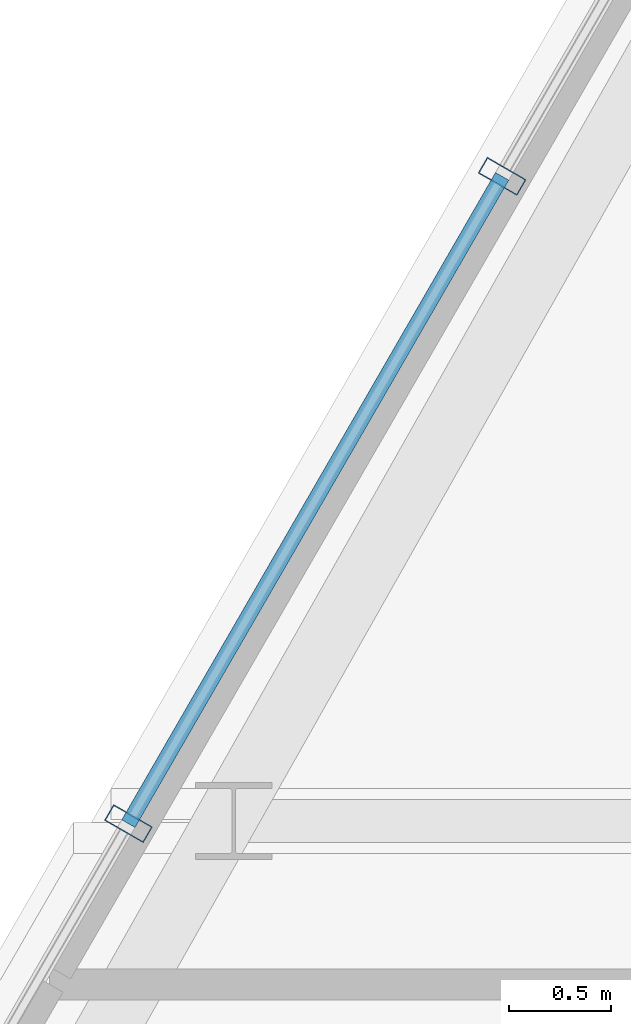
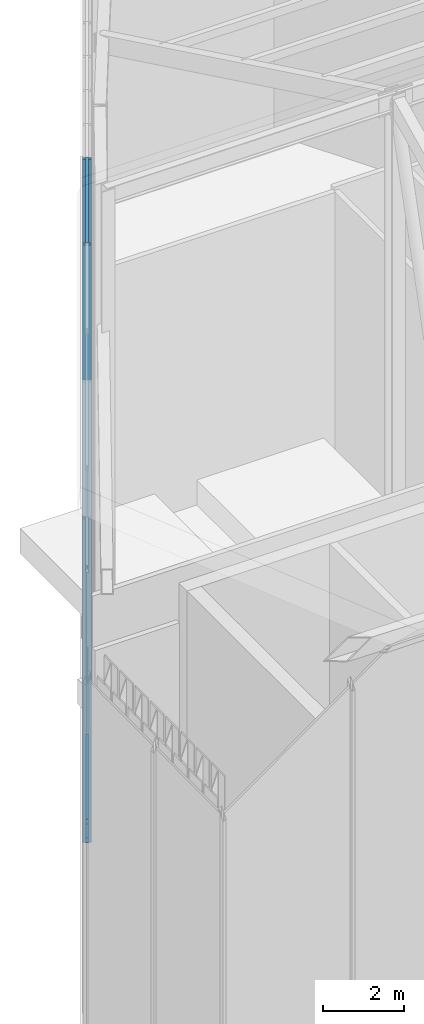
# One storey, part 9 of 36: 5 members, 2 elements without a shape of their own.
"""IFC4 building model written with IfcOpenShell, lengths in metres."""

from ifc_helpers import new_model, si_unit, direction, frame, origin, origin_2d, place, context, subcontext, project, spatial, hollow_rectangle, extrude, material, layer, layer_set, material_profile, profile_set, type_object, element, aggregate, save


model = new_model("IFC4")

# Units and contexts
model_context = context("Model", 3, precision=1e-05, world=origin(), true_north=direction((0.0, 1.0)))
body_context = subcontext(model_context, "Body", "Model", "MODEL_VIEW")
ifc_project = project(units=[si_unit("LENGTHUNIT", "METRE"), si_unit("AREAUNIT", "SQUARE_METRE"), si_unit("VOLUMEUNIT", "CUBIC_METRE"), si_unit("PLANEANGLEUNIT", "RADIAN"), si_unit("MASSUNIT", "GRAM", prefix="KILO")], contexts=[model_context])

# Site, building, storey
site_placement = place(None, origin())
site = spatial("IfcSite", under=ifc_project, at=site_placement, CompositionType="ELEMENT")
building_placement = place(site_placement, origin())
building = spatial("IfcBuilding", under=site, at=building_placement, Name="Ndaravel Arena Tower", CompositionType="ELEMENT")
storey_placement = place(building_placement, frame((0.0, 0.0, 308.10009765625)))
storey = spatial("IfcBuildingStorey", under=building, at=storey_placement, Name="Roof Crown", CompositionType="ELEMENT", Elevation=308.10009765625)

# Curtain wall, member
ifc_material_1 = material(Name="Aluminium", Category="aluminium")
ifc_layer = layer(ifc_material_1, 0.179931640625)
ifc_layer_set = layer_set([ifc_layer], Name="Aluminium")
curtain_wall_type = type_object("IfcCurtainWallType", Name="CW-SYS-06", PredefinedType="NOTDEFINED", material=ifc_layer_set)
curtain_wall_1_placement = place(storey_placement, origin())
curtain_wall_1 = element("IfcCurtainWall", 1, at=curtain_wall_1_placement, inside=storey, type_object=curtain_wall_type, Name="Roof Crown Sloped Crown Lantern Curtain Wall CW-CROWN-E05-S08", PredefinedType="NOTDEFINED")
ifc_material_2 = material(Name="Aluminium", Category="aluminium")
ifc_material_profile_1 = material_profile(ifc_material_2, hollow_rectangle(XDim=0.090087890625, YDim=0.219970703125, WallThickness=0.0048828125, at=origin_2d()), Name="CW MULLION 90x220x5")
ifc_profile_set_1 = profile_set([ifc_material_profile_1], Name="Aluminium")
member_type_1 = type_object("IfcMemberType", Name="MEM-CW-MUL220", PredefinedType="MULLION", material=ifc_profile_set_1)
member_1_placement = place(storey_placement, frame((27.27978515625, 21.154296875, 0.0), z_axis=(0.0, 0.0, 1.0), x_axis=(-0.499984884929, -0.866034130299, 0.0)))
member_1 = element("IfcMember", 2, at=member_1_placement, type_object=member_type_1, Name="CW-CROWN-E05-S08 Mullion 00", PredefinedType="MULLION", context=body_context, shape_type="SweptSolid", body=[
    extrude(hollow_rectangle(XDim=0.090087890625, YDim=0.219970703125, WallThickness=0.0048828125, at=origin_2d()), origin(), (0.0, 0.0, 1.0), 17.931884765625),
])

curtain_wall_2_placement = place(storey_placement, origin())
curtain_wall_2 = element("IfcCurtainWall", 3, at=curtain_wall_2_placement, inside=storey, type_object=curtain_wall_type, Name="Roof Crown Sloped Crown Lantern Curtain Wall CW-CROWN-E05-S09", PredefinedType="NOTDEFINED")
member_2_placement = place(storey_placement, frame((25.451171875, 17.987060546875, 0.0), z_axis=(0.0, 0.0, 1.0), x_axis=(-0.499984884929, -0.866034130299, 0.0)))
member_2 = element("IfcMember", 4, at=member_2_placement, type_object=member_type_1, Name="CW-CROWN-E05-S09 Mullion 00", PredefinedType="MULLION", context=body_context, shape_type="SweptSolid", body=[
    extrude(hollow_rectangle(XDim=0.090087890625, YDim=0.219970703125, WallThickness=0.0048828125, at=origin_2d()), origin(), (0.0, 0.0, 1.0), 17.91943359375),
])
aggregate(curtain_wall_2, [member_2])

# Member
ifc_material_3 = material(Name="Aluminium", Category="aluminium")
ifc_material_profile_2 = material_profile(ifc_material_3, hollow_rectangle(XDim=0.074951171875, YDim=0.14990234375, WallThickness=0.00390625, at=origin_2d()), Name="CW TRANSOM 75x150x4")
ifc_profile_set_2 = profile_set([ifc_material_profile_2], Name="Aluminium")
member_type_2 = type_object("IfcMemberType", Name="MEM-CW-TRN150", PredefinedType="USERDEFINED", material=ifc_profile_set_2)
member_3_placement = place(storey_placement, frame((27.27978515625, 21.154296875, 0.039794921875), z_axis=(-0.500001750229, -0.866024393287, 0.0), x_axis=(0.866024393287, -0.500001750229, 0.0)))
member_3 = element("IfcMember", 5, at=member_3_placement, type_object=member_type_2, Name="CW-CROWN-E05-S08 Transom 01", ObjectType="TRANSOM", PredefinedType="USERDEFINED", context=body_context, shape_type="SweptSolid", body=[
    extrude(hollow_rectangle(XDim=0.074951171875, YDim=0.14990234375, WallThickness=0.00390625, at=origin_2d()), origin(), (0.0, 0.0, 1.0), 3.6572265625),
])

member_4_placement = place(storey_placement, frame((27.27978515625, 21.154296875, 0.599853515625), z_axis=(-0.500001750229, -0.866024393287, 0.0), x_axis=(0.866024393287, -0.500001750229, 0.0)))
member_4 = element("IfcMember", 6, at=member_4_placement, type_object=member_type_2, Name="CW-CROWN-E05-S08 Transom 02", ObjectType="TRANSOM", PredefinedType="USERDEFINED", context=body_context, shape_type="SweptSolid", body=[
    extrude(hollow_rectangle(XDim=0.074951171875, YDim=0.14990234375, WallThickness=0.00390625, at=origin_2d()), origin(), (0.0, 0.0, 1.0), 3.6572265625),
])

member_5_placement = place(storey_placement, frame((27.27978515625, 21.154296875, 17.89208984375), z_axis=(-0.500001750229, -0.866024393287, 0.0), x_axis=(0.866024393287, -0.500001750229, 0.0)))
member_5 = element("IfcMember", 7, at=member_5_placement, type_object=member_type_2, Name="CW-CROWN-E05-S08 Transom 03", ObjectType="TRANSOM", PredefinedType="USERDEFINED", context=body_context, shape_type="SweptSolid", body=[
    extrude(hollow_rectangle(XDim=0.074951171875, YDim=0.14990234375, WallThickness=0.00390625, at=origin_2d()), origin(), (0.0, 0.0, 1.0), 3.6572265625),
])

aggregate(curtain_wall_1, [member_1, member_3, member_4, member_5])

save(model, "model.ifc")
